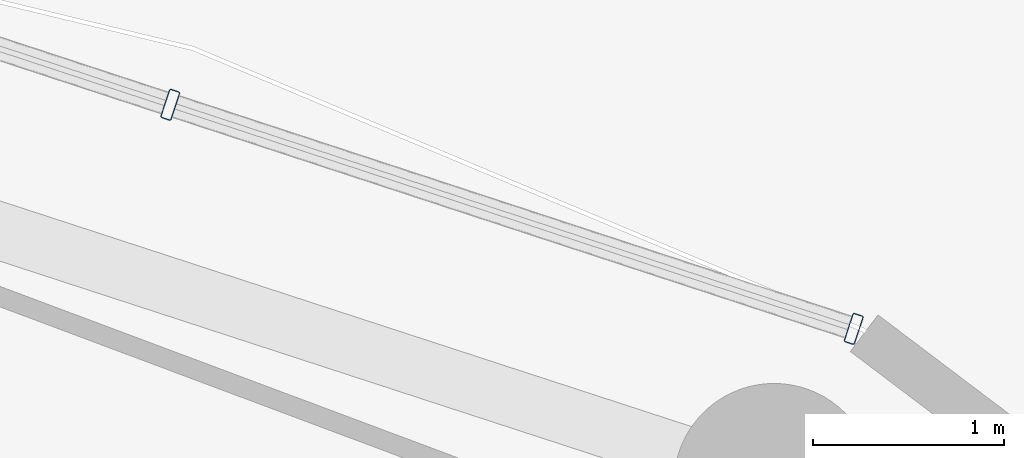
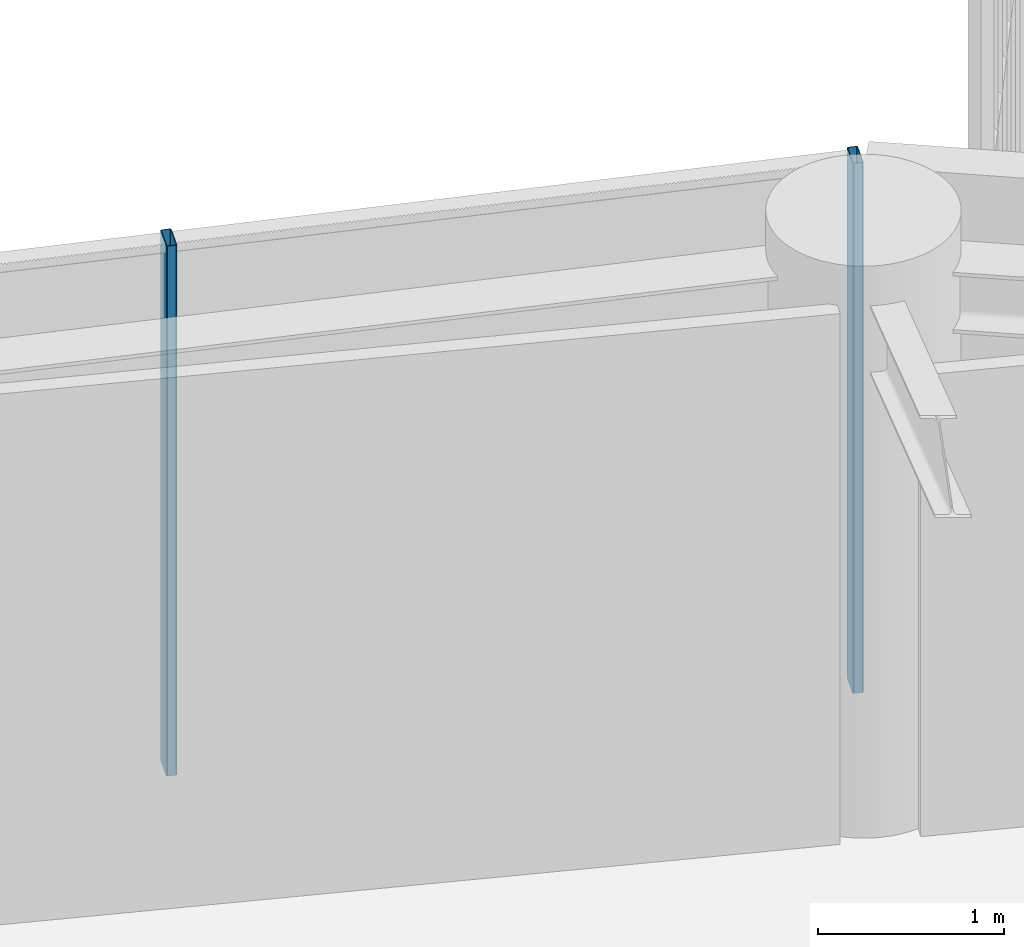
# One storey, part 21 of 30: 2 members, 1 element without a shape of its own.
"""IFC4 building model written with IfcOpenShell, lengths in metres."""

from ifc_helpers import new_model, si_unit, direction, frame, origin, origin_2d, place, context, subcontext, project, spatial, hollow_rectangle, extrude, material, layer, layer_set, material_profile, profile_set, type_object, element, aggregate, save


model = new_model("IFC4")

# Units and contexts
model_context = context("Model", 3, precision=1e-05, world=origin(), true_north=direction((0.0, 1.0)))
body_context = subcontext(model_context, "Body", "Model", "MODEL_VIEW")
ifc_project = project(units=[si_unit("LENGTHUNIT", "METRE"), si_unit("AREAUNIT", "SQUARE_METRE"), si_unit("VOLUMEUNIT", "CUBIC_METRE"), si_unit("PLANEANGLEUNIT", "RADIAN"), si_unit("MASSUNIT", "GRAM", prefix="KILO")], contexts=[model_context])

# Site, building, storey
site_placement = place(None, origin())
site = spatial("IfcSite", under=ifc_project, at=site_placement, CompositionType="ELEMENT")
building_placement = place(site_placement, origin())
building = spatial("IfcBuilding", under=site, at=building_placement, Name="Kelanora Arch Commons", CompositionType="ELEMENT")
storey_placement = place(building_placement, frame((0.0, 0.0, 211.949951171875)))
storey = spatial("IfcBuildingStorey", under=building, at=storey_placement, Name="L54", CompositionType="ELEMENT", Elevation=211.949951171875)

# Curtain wall, members
ifc_material_1 = material(Name="Terracotta ceramic-fritted low-E glass and aluminium", Category="masonry")
ifc_layer = layer(ifc_material_1, 0.175048828125)
ifc_layer_set = layer_set([ifc_layer], Name="Terracotta ceramic-fritted low-E glass and aluminium")
curtain_wall_type = type_object("IfcCurtainWallType", Name="CW-SYS-02", PredefinedType="NOTDEFINED", material=ifc_layer_set)
curtain_wall_placement = place(storey_placement, origin())
curtain_wall = element("IfcCurtainWall", 1, at=curtain_wall_placement, inside=storey, type_object=curtain_wall_type, Name="Unitised Curtain Wall L54-B03", PredefinedType="NOTDEFINED")
ifc_material_2 = material(Name="Powder-coated aluminium terracotta", Category="masonry")
ifc_material_profile = material_profile(ifc_material_2, hollow_rectangle(XDim=0.159912109375, YDim=0.06005859375, WallThickness=0.0048828125, InnerFilletRadius=0.0048828125, OuterFilletRadius=0.010009765625, at=origin_2d()), Name="CWM160x60")
ifc_profile_set = profile_set([ifc_material_profile], Name="Powder-coated aluminium terracotta")
member_type = type_object("IfcMemberType", Name="CWM-STD", PredefinedType="MULLION", material=ifc_profile_set)
member_1_placement = place(storey_placement, frame((85.05712890625, 75.33447265625, 0.0), z_axis=(0.0, 0.0, 1.0), x_axis=(-0.311582439059, -0.950219124029, 0.0)))
member_1 = element("IfcMember", 2, at=member_1_placement, type_object=member_type, Name="CW-02 mullion 1", PredefinedType="MULLION", context=body_context, shape_type="SweptSolid", body=[
    extrude(hollow_rectangle(XDim=0.159912109375, YDim=0.06005859375, WallThickness=0.0048828125, InnerFilletRadius=0.0048828125, OuterFilletRadius=0.010009765625, at=origin_2d()), origin(), (0.0, 0.0, 1.0), 3.47509765625),
])
member_2_placement = place(storey_placement, frame((81.4775390625, 76.50830078125, 0.0), z_axis=(0.0, 0.0, 1.0), x_axis=(-0.311582439059, -0.950219124029, 0.0)))
member_2 = element("IfcMember", 3, at=member_2_placement, type_object=member_type, Name="CW-02 mullion 2", PredefinedType="MULLION", context=body_context, shape_type="SweptSolid", body=[
    extrude(hollow_rectangle(XDim=0.159912109375, YDim=0.06005859375, WallThickness=0.0048828125, InnerFilletRadius=0.0048828125, OuterFilletRadius=0.010009765625, at=origin_2d()), origin(), (0.0, 0.0, 1.0), 3.47509765625),
])
aggregate(curtain_wall, [member_1, member_2])

save(model, "model.ifc")
